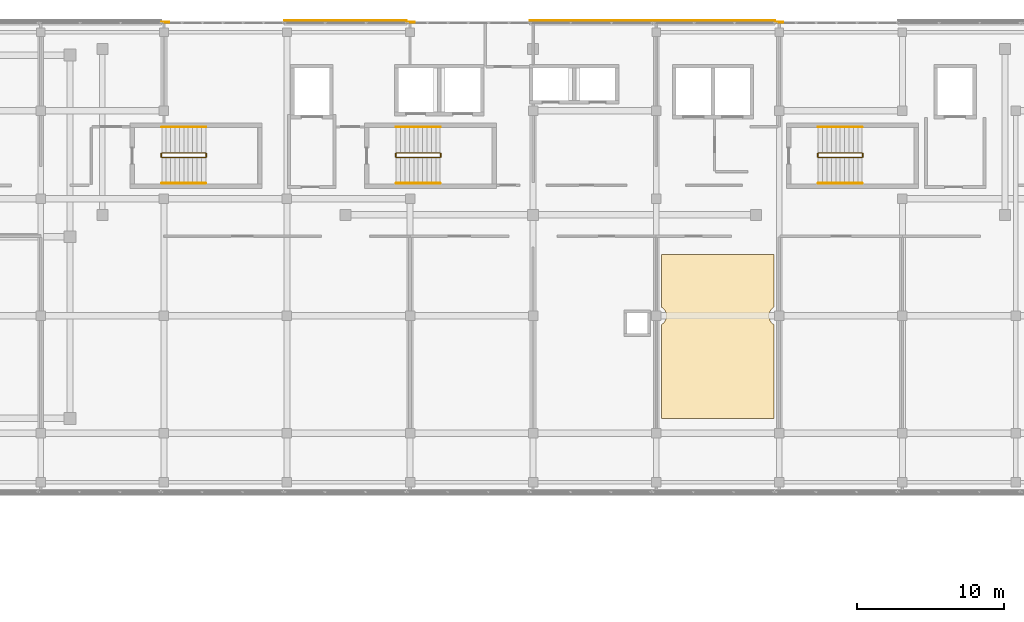
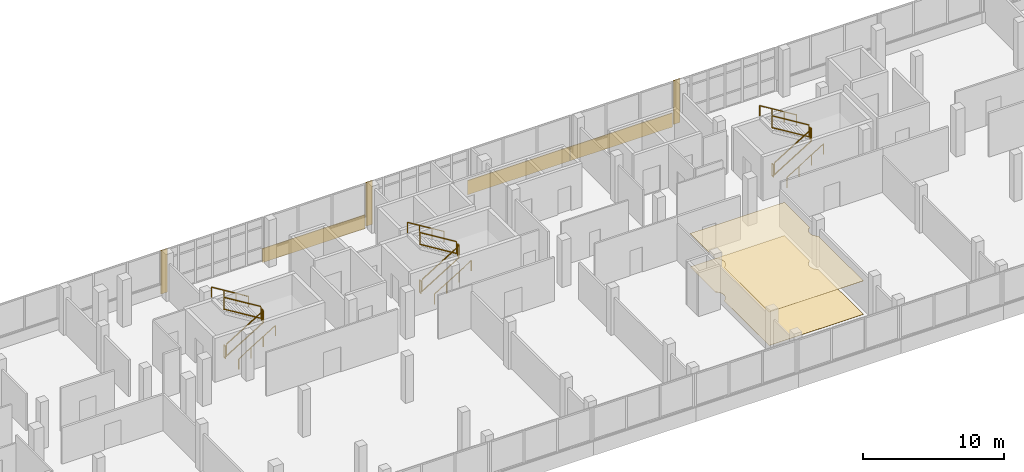
# One storey, part 75 of 76: 18 railings, 8 coverings.
"""IFC4 building model written with IfcOpenShell, lengths in metres."""

from ifc_helpers import new_model, si_unit, direction, frame, origin, origin_2d, place, context, subcontext, project, spatial, polyline, rectangle, circle, outline, extrude, material, layer, layer_set, type_object, element, save


model = new_model("IFC4")

# Units and contexts
model_context = context("Model", 3, precision=1e-05, world=origin(), true_north=direction((0.0, 1.0)))
body_context = subcontext(model_context, "Body", "Model", "MODEL_VIEW")
ifc_project = project(units=[si_unit("LENGTHUNIT", "METRE"), si_unit("AREAUNIT", "SQUARE_METRE"), si_unit("VOLUMEUNIT", "CUBIC_METRE"), si_unit("PLANEANGLEUNIT", "RADIAN"), si_unit("MASSUNIT", "GRAM", prefix="KILO")], contexts=[model_context])

# Site, building, storey
site_placement = place(None, origin())
site = spatial("IfcSite", under=ifc_project, at=site_placement, CompositionType="ELEMENT")
building_placement = place(site_placement, origin())
building = spatial("IfcBuilding", under=site, at=building_placement, Name="Selatvlak General Hospital", CompositionType="ELEMENT")
storey_placement = place(building_placement, frame((0.0, 0.0, 27.300048828125)))
storey = spatial("IfcBuildingStorey", under=building, at=storey_placement, Name="L06", CompositionType="ELEMENT", Elevation=27.300048828125)

# Coverings
ifc_material_1 = material(Name="Acoustic mineral fibre ceiling tile")
ifc_layer_1 = layer(ifc_material_1, 0.02490234375, Name="Acoustic mineral fibre ceiling tile")
ifc_layer_set_1 = layer_set([ifc_layer_1], Name="Acoustic mineral fibre ceiling tile")
covering_type_1 = type_object("IfcCoveringType", Name="COV-CEIL1", PredefinedType="CEILING", material=ifc_layer_set_1)
covering_1_placement = place(storey_placement, frame((0.0, 0.0, 2.8798828125)))
element("IfcCovering", 1, at=covering_1_placement, inside=storey, type_object=covering_type_1, Name="L06 clinical acoustic ceiling 014", PredefinedType="CEILING", context=body_context, shape_type="SweptSolid", body=[
    extrude(outline(polyline([(131.64990234375, 104.199951171875), (131.64990234375, 100.60498046875), (131.611083984375, 100.58203125), (131.555908203125, 100.541015625), (131.5048828125, 100.4951171875), (131.458984375, 100.444091796875), (131.41796875, 100.388916015625), (131.383056640625, 100.330078125), (131.35302734375, 100.26806640625), (131.330078125, 100.202880859375), (131.31298828125, 100.136962890625), (131.302978515625, 100.069091796875), (131.300048828125, 100.0), (131.302978515625, 99.930908203125), (131.31298828125, 99.863037109375), (131.330078125, 99.797119140625), (131.35302734375, 99.73193359375), (131.383056640625, 99.669921875), (131.41796875, 99.611083984375), (131.458984375, 99.555908203125), (131.5048828125, 99.5048828125), (131.555908203125, 99.458984375), (131.611083984375, 99.41796875), (131.64990234375, 99.39501953125), (131.64990234375, 93.0), (123.949951171875, 93.0), (123.949951171875, 99.39501953125), (123.989013671875, 99.41796875), (124.0439453125, 99.458984375), (124.094970703125, 99.5048828125), (124.14111328125, 99.555908203125), (124.181884765625, 99.611083984375), (124.217041015625, 99.669921875), (124.2470703125, 99.73193359375), (124.27001953125, 99.797119140625), (124.287109375, 99.863037109375), (124.297119140625, 99.930908203125), (124.300048828125, 100.0), (124.297119140625, 100.069091796875), (124.287109375, 100.136962890625), (124.27001953125, 100.202880859375), (124.2470703125, 100.26806640625), (124.217041015625, 100.330078125), (124.181884765625, 100.388916015625), (124.14111328125, 100.444091796875), (124.094970703125, 100.4951171875), (124.0439453125, 100.541015625), (123.989013671875, 100.58203125), (123.949951171875, 100.60498046875), (123.949951171875, 104.199951171875), (131.64990234375, 104.199951171875)])), origin(), (0.0, 0.0, 1.0), 0.025146484375),
])
ifc_material_2 = material(Name="Homogeneous anti-static hospital vinyl flooring")
ifc_layer_2 = layer(ifc_material_2, 0.014892578125, Name="Homogeneous anti-static hospital vinyl flooring")
ifc_layer_set_2 = layer_set([ifc_layer_2], Name="Homogeneous anti-static hospital vinyl flooring")
covering_type_2 = type_object("IfcCoveringType", Name="COV-FLR1", PredefinedType="FLOORING", material=ifc_layer_set_2)
covering_2_placement = place(storey_placement, origin())
element("IfcCovering", 2, at=covering_2_placement, inside=storey, type_object=covering_type_2, Name="L06 seamless vinyl flooring 014", PredefinedType="FLOORING", context=body_context, shape_type="SweptSolid", body=[
    extrude(outline(polyline([(131.64990234375, 104.199951171875), (131.64990234375, 100.60498046875), (131.611083984375, 100.58203125), (131.555908203125, 100.541015625), (131.5048828125, 100.4951171875), (131.458984375, 100.444091796875), (131.41796875, 100.388916015625), (131.383056640625, 100.330078125), (131.35302734375, 100.26806640625), (131.330078125, 100.202880859375), (131.31298828125, 100.136962890625), (131.302978515625, 100.069091796875), (131.300048828125, 100.0), (131.302978515625, 99.930908203125), (131.31298828125, 99.863037109375), (131.330078125, 99.797119140625), (131.35302734375, 99.73193359375), (131.383056640625, 99.669921875), (131.41796875, 99.611083984375), (131.458984375, 99.555908203125), (131.5048828125, 99.5048828125), (131.555908203125, 99.458984375), (131.611083984375, 99.41796875), (131.64990234375, 99.39501953125), (131.64990234375, 93.0), (123.949951171875, 93.0), (123.949951171875, 99.39501953125), (123.989013671875, 99.41796875), (124.0439453125, 99.458984375), (124.094970703125, 99.5048828125), (124.14111328125, 99.555908203125), (124.181884765625, 99.611083984375), (124.217041015625, 99.669921875), (124.2470703125, 99.73193359375), (124.27001953125, 99.797119140625), (124.287109375, 99.863037109375), (124.297119140625, 99.930908203125), (124.300048828125, 100.0), (124.297119140625, 100.069091796875), (124.287109375, 100.136962890625), (124.27001953125, 100.202880859375), (124.2470703125, 100.26806640625), (124.217041015625, 100.330078125), (124.181884765625, 100.388916015625), (124.14111328125, 100.444091796875), (124.094970703125, 100.4951171875), (124.0439453125, 100.541015625), (123.989013671875, 100.58203125), (123.949951171875, 100.60498046875), (123.949951171875, 104.199951171875), (131.64990234375, 104.199951171875)])), origin(), (0.0, 0.0, 1.0), 0.014892578125),
])
ifc_material_3 = material(Name="White Bauhaus fair-faced cladding panel")
ifc_layer_3 = layer(ifc_material_3, 0.054931640625, Name="White Bauhaus fair-faced cladding panel")
ifc_layer_set_3 = layer_set([ifc_layer_3], Name="White Bauhaus fair-faced cladding panel")
covering_type_3 = type_object("IfcCoveringType", Name="COV-WHT1", PredefinedType="CLADDING", material=ifc_layer_set_3)
covering_3_placement = place(storey_placement, frame((90.10595703125, 120.0439453125, 0.0), z_axis=(0.0, 0.0, 1.0), x_axis=(1.0, 0.0, 0.0)))
element("IfcCovering", 3, at=covering_3_placement, inside=storey, type_object=covering_type_3, Name="L06 Bauhaus vertical core pilaster 0460", PredefinedType="CLADDING", context=body_context, shape_type="SweptSolid", body=[
    extrude(rectangle(XDim=0.550048828125, YDim=0.054931640625, at=origin_2d()), origin(), (0.0, 0.0, 1.0), 3.780029296875),
])
covering_4_placement = place(storey_placement, frame((102.39892578125, 120.1640625, -0.2802734375), z_axis=(0.0, 0.0, 1.0), x_axis=(0.999999992537, 0.000122173047, 0.0)))
element("IfcCovering", 4, at=covering_4_placement, inside=storey, type_object=covering_type_3, Name="L06 Bauhaus horizontal white spandrel band 0461", PredefinedType="CLADDING", context=body_context, shape_type="SweptSolid", body=[
    extrude(rectangle(XDim=8.37890625, YDim=0.054931640625, at=origin_2d()), origin(), (0.0, 0.0, 1.0), 1.219970703125),
])
covering_5_placement = place(storey_placement, frame((106.864013671875, 120.044921875, 0.0), z_axis=(0.0, 0.0, 1.0), x_axis=(1.0, 0.0, 0.0)))
element("IfcCovering", 5, at=covering_5_placement, inside=storey, type_object=covering_type_3, Name="L06 Bauhaus vertical core pilaster 0462", PredefinedType="CLADDING", context=body_context, shape_type="SweptSolid", body=[
    extrude(rectangle(XDim=0.550048828125, YDim=0.054931640625, at=origin_2d()), origin(), (0.0, 0.0, 1.0), 3.780029296875),
])
for number, where, z_axis, x_axis, name in (
    (6, (119.156982421875, 120.1650390625, -0.2802734375), (0.0, 0.0, 1.0), (1.0, 0.0, 0.0), "L06 Bauhaus horizontal white spandrel band 0463"),
    (7, (127.535888671875, 120.1650390625, -0.2802734375), (0.0, 0.0, 1.0), (1.0, 0.0, 0.0), "L06 Bauhaus horizontal white spandrel band 0464"),
):
    element("IfcCovering", number, at=place(storey_placement, frame(where, z_axis=z_axis, x_axis=x_axis)), inside=storey, type_object=covering_type_3, Name=name, PredefinedType="CLADDING", context=body_context, shape_type="SweptSolid", body=[
        extrude(rectangle(XDim=8.37890625, YDim=0.054931640625, at=origin_2d()), origin(), (0.0, 0.0, 1.0), 1.219970703125),
    ])
covering_6_placement = place(storey_placement, frame((132.0009765625, 120.044921875, 0.0), z_axis=(0.0, 0.0, 1.0), x_axis=(1.0, 0.0, 0.0)))
element("IfcCovering", 8, at=covering_6_placement, inside=storey, type_object=covering_type_3, Name="L06 Bauhaus vertical core pilaster 0465", PredefinedType="CLADDING", context=body_context, shape_type="SweptSolid", body=[
    extrude(rectangle(XDim=0.550048828125, YDim=0.054931640625, at=origin_2d()), origin(), (0.0, 0.0, 1.0), 3.780029296875),
])

# Railings
ifc_material_4 = material(Name="Stainless steel 316 stair guard", Category="steel")
railing_type_1 = type_object("IfcRailingType", Name="RAIL-STG", PredefinedType="GUARDRAIL", material=ifc_material_4)
railing_1_placement = place(storey_placement, frame((89.860107421875, 110.81005859375, 0.18408203125)))
element("IfcRailing", 9, at=railing_1_placement, inside=storey, type_object=railing_type_1, Name="L06 ST-02 stair guard 1", PredefinedType="GUARDRAIL", context=body_context, shape_type="SweptSolid", body=[
    extrude(rectangle(XDim=0.068115234375, YDim=0.068115234375, at=origin_2d()), frame((0.00244140625, 0.0, 1.067626953125), z_axis=(0.852333972304, 0.0, 0.522997896417), x_axis=(0.0, 1.0, 0.0)), (0.0, 0.0, 1.0), 3.513916015625),
    extrude(rectangle(XDim=0.068115234375, YDim=0.068115234375, at=origin_2d()), frame((0.00244140625, 0.0, 0.050537109375), z_axis=(0.852333972304, 0.0, 0.522997896417), x_axis=(0.0, 1.0, 0.0)), (0.0, 0.0, 1.0), 3.513916015625),
    extrude(rectangle(XDim=0.055908203125, YDim=0.055908203125, at=origin_2d()), origin(), (0.0, 0.0, 1.0), 1.029052734375),
    extrude(rectangle(XDim=0.055908203125, YDim=0.055908203125, at=origin_2d()), frame((3.0, 0.0, 1.8408203125)), (0.0, 0.0, 1.0), 1.029052734375),
])
railing_2_placement = place(storey_placement, frame((92.909912109375, 110.860107421875, 2.02490234375)))
element("IfcRailing", 10, at=railing_2_placement, inside=storey, type_object=railing_type_1, Name="L06 ST-02 stair guard 2", PredefinedType="GUARDRAIL", context=body_context, shape_type="SweptSolid", body=[
    extrude(rectangle(XDim=0.068115234375, YDim=0.068115234375, at=origin_2d()), frame((0.0, 0.0029296875, 1.06591796875), z_axis=(0.0, 1.0, 0.0), x_axis=(-1.0, 0.0, 0.0)), (0.0, 0.0, 1.0), 0.214111328125),
    extrude(rectangle(XDim=0.068115234375, YDim=0.068115234375, at=origin_2d()), frame((0.0, 0.0029296875, 0.049072265625), z_axis=(0.0, 1.0, 0.0), x_axis=(-1.0, 0.0, 0.0)), (0.0, 0.0, 1.0), 0.214111328125),
    extrude(rectangle(XDim=0.055908203125, YDim=0.055908203125, at=origin_2d()), origin(), (0.0, 0.0, 1.0), 1.029052734375),
    extrude(rectangle(XDim=0.055908203125, YDim=0.055908203125, at=origin_2d()), frame((0.0, 0.219970703125, 0.0)), (0.0, 0.0, 1.0), 1.029052734375),
])
railing_3_placement = place(storey_placement, frame((92.860107421875, 111.1298828125, 2.208984375)))
element("IfcRailing", 11, at=railing_3_placement, inside=storey, type_object=railing_type_1, Name="L06 ST-02 stair guard 3", PredefinedType="GUARDRAIL", context=body_context, shape_type="SweptSolid", body=[
    extrude(rectangle(XDim=0.068115234375, YDim=0.068115234375, at=origin_2d()), frame((-0.00244140625, 0.0, 1.067626953125), z_axis=(-0.852303052018, 0.0, 0.52304828412), x_axis=(0.0, -1.0, 0.0)), (0.0, 0.0, 1.0), 3.513916015625),
    extrude(rectangle(XDim=0.068115234375, YDim=0.068115234375, at=origin_2d()), frame((-0.00244140625, 0.0, 0.050537109375), z_axis=(-0.852303052018, 0.0, 0.52304828412), x_axis=(0.0, -1.0, 0.0)), (0.0, 0.0, 1.0), 3.513916015625),
    extrude(rectangle(XDim=0.055908203125, YDim=0.055908203125, at=origin_2d()), origin(), (0.0, 0.0, 1.0), 1.029052734375),
    extrude(rectangle(XDim=0.055908203125, YDim=0.055908203125, at=origin_2d()), frame((-3.0, 0.0, 1.841064453125)), (0.0, 0.0, 1.0), 1.029052734375),
])
railing_4_placement = place(storey_placement, frame((89.81005859375, 110.860107421875, 0.0)))
element("IfcRailing", 12, at=railing_4_placement, inside=storey, type_object=railing_type_1, Name="L06 ST-02 stair guard 4", PredefinedType="GUARDRAIL", context=body_context, shape_type="SweptSolid", body=[
    extrude(rectangle(XDim=0.068115234375, YDim=0.068115234375, at=origin_2d()), frame((0.0, 0.0029296875, 1.06591796875), z_axis=(0.0, 1.0, 0.0), x_axis=(-1.0, 0.0, 0.0)), (0.0, 0.0, 1.0), 0.214111328125),
    extrude(rectangle(XDim=0.068115234375, YDim=0.068115234375, at=origin_2d()), frame((0.0, 0.0029296875, 0.049072265625), z_axis=(0.0, 1.0, 0.0), x_axis=(-1.0, 0.0, 0.0)), (0.0, 0.0, 1.0), 0.214111328125),
    extrude(rectangle(XDim=0.055908203125, YDim=0.055908203125, at=origin_2d()), origin(), (0.0, 0.0, 1.0), 1.029052734375),
    extrude(rectangle(XDim=0.055908203125, YDim=0.055908203125, at=origin_2d()), frame((0.0, 0.219970703125, 0.0)), (0.0, 0.0, 1.0), 1.029052734375),
])
railing_5_placement = place(storey_placement, frame((105.860107421875, 110.81005859375, 0.18408203125)))
element("IfcRailing", 13, at=railing_5_placement, inside=storey, type_object=railing_type_1, Name="L06 ST-03 stair guard 1", PredefinedType="GUARDRAIL", context=body_context, shape_type="SweptSolid", body=[
    extrude(rectangle(XDim=0.068115234375, YDim=0.068115234375, at=origin_2d()), frame((0.00244140625, 0.0, 1.067626953125), z_axis=(0.852333972304, 0.0, 0.522997896417), x_axis=(0.0, 1.0, 0.0)), (0.0, 0.0, 1.0), 3.513916015625),
    extrude(rectangle(XDim=0.068115234375, YDim=0.068115234375, at=origin_2d()), frame((0.00244140625, 0.0, 0.050537109375), z_axis=(0.852333972304, 0.0, 0.522997896417), x_axis=(0.0, 1.0, 0.0)), (0.0, 0.0, 1.0), 3.513916015625),
    extrude(rectangle(XDim=0.055908203125, YDim=0.055908203125, at=origin_2d()), origin(), (0.0, 0.0, 1.0), 1.029052734375),
    extrude(rectangle(XDim=0.055908203125, YDim=0.055908203125, at=origin_2d()), frame((3.0, 0.0, 1.8408203125)), (0.0, 0.0, 1.0), 1.029052734375),
])
railing_6_placement = place(storey_placement, frame((108.909912109375, 110.860107421875, 2.02490234375)))
element("IfcRailing", 14, at=railing_6_placement, inside=storey, type_object=railing_type_1, Name="L06 ST-03 stair guard 2", PredefinedType="GUARDRAIL", context=body_context, shape_type="SweptSolid", body=[
    extrude(rectangle(XDim=0.068115234375, YDim=0.068115234375, at=origin_2d()), frame((0.0, 0.0029296875, 1.06591796875), z_axis=(0.0, 1.0, 0.0), x_axis=(-1.0, 0.0, 0.0)), (0.0, 0.0, 1.0), 0.214111328125),
    extrude(rectangle(XDim=0.068115234375, YDim=0.068115234375, at=origin_2d()), frame((0.0, 0.0029296875, 0.049072265625), z_axis=(0.0, 1.0, 0.0), x_axis=(-1.0, 0.0, 0.0)), (0.0, 0.0, 1.0), 0.214111328125),
    extrude(rectangle(XDim=0.055908203125, YDim=0.055908203125, at=origin_2d()), origin(), (0.0, 0.0, 1.0), 1.029052734375),
    extrude(rectangle(XDim=0.055908203125, YDim=0.055908203125, at=origin_2d()), frame((0.0, 0.219970703125, 0.0)), (0.0, 0.0, 1.0), 1.029052734375),
])
railing_7_placement = place(storey_placement, frame((108.860107421875, 111.1298828125, 2.208984375)))
element("IfcRailing", 15, at=railing_7_placement, inside=storey, type_object=railing_type_1, Name="L06 ST-03 stair guard 3", PredefinedType="GUARDRAIL", context=body_context, shape_type="SweptSolid", body=[
    extrude(rectangle(XDim=0.068115234375, YDim=0.068115234375, at=origin_2d()), frame((-0.00244140625, 0.0, 1.067626953125), z_axis=(-0.852303052018, 0.0, 0.52304828412), x_axis=(0.0, -1.0, 0.0)), (0.0, 0.0, 1.0), 3.513916015625),
    extrude(rectangle(XDim=0.068115234375, YDim=0.068115234375, at=origin_2d()), frame((-0.00244140625, 0.0, 0.050537109375), z_axis=(-0.852303052018, 0.0, 0.52304828412), x_axis=(0.0, -1.0, 0.0)), (0.0, 0.0, 1.0), 3.513916015625),
    extrude(rectangle(XDim=0.055908203125, YDim=0.055908203125, at=origin_2d()), origin(), (0.0, 0.0, 1.0), 1.029052734375),
    extrude(rectangle(XDim=0.055908203125, YDim=0.055908203125, at=origin_2d()), frame((-3.0, 0.0, 1.841064453125)), (0.0, 0.0, 1.0), 1.029052734375),
])
railing_8_placement = place(storey_placement, frame((105.81005859375, 110.860107421875, 0.0)))
element("IfcRailing", 16, at=railing_8_placement, inside=storey, type_object=railing_type_1, Name="L06 ST-03 stair guard 4", PredefinedType="GUARDRAIL", context=body_context, shape_type="SweptSolid", body=[
    extrude(rectangle(XDim=0.068115234375, YDim=0.068115234375, at=origin_2d()), frame((0.0, 0.0029296875, 1.06591796875), z_axis=(0.0, 1.0, 0.0), x_axis=(-1.0, 0.0, 0.0)), (0.0, 0.0, 1.0), 0.214111328125),
    extrude(rectangle(XDim=0.068115234375, YDim=0.068115234375, at=origin_2d()), frame((0.0, 0.0029296875, 0.049072265625), z_axis=(0.0, 1.0, 0.0), x_axis=(-1.0, 0.0, 0.0)), (0.0, 0.0, 1.0), 0.214111328125),
    extrude(rectangle(XDim=0.055908203125, YDim=0.055908203125, at=origin_2d()), origin(), (0.0, 0.0, 1.0), 1.029052734375),
    extrude(rectangle(XDim=0.055908203125, YDim=0.055908203125, at=origin_2d()), frame((0.0, 0.219970703125, 0.0)), (0.0, 0.0, 1.0), 1.029052734375),
])
railing_9_placement = place(storey_placement, frame((134.659912109375, 110.81005859375, 0.18408203125)))
element("IfcRailing", 17, at=railing_9_placement, inside=storey, type_object=railing_type_1, Name="L06 ST-04 stair guard 1", PredefinedType="GUARDRAIL", context=body_context, shape_type="SweptSolid", body=[
    extrude(rectangle(XDim=0.068115234375, YDim=0.068115234375, at=origin_2d()), frame((0.00244140625, 0.0, 1.067626953125), z_axis=(0.852333972304, 0.0, 0.522997896417), x_axis=(0.0, 1.0, 0.0)), (0.0, 0.0, 1.0), 3.513916015625),
    extrude(rectangle(XDim=0.068115234375, YDim=0.068115234375, at=origin_2d()), frame((0.00244140625, 0.0, 0.050537109375), z_axis=(0.852333972304, 0.0, 0.522997896417), x_axis=(0.0, 1.0, 0.0)), (0.0, 0.0, 1.0), 3.513916015625),
    extrude(rectangle(XDim=0.055908203125, YDim=0.055908203125, at=origin_2d()), origin(), (0.0, 0.0, 1.0), 1.029052734375),
    extrude(rectangle(XDim=0.055908203125, YDim=0.055908203125, at=origin_2d()), frame((3.0, 0.0, 1.8408203125)), (0.0, 0.0, 1.0), 1.029052734375),
])
railing_10_placement = place(storey_placement, frame((137.7099609375, 110.860107421875, 2.02490234375)))
element("IfcRailing", 18, at=railing_10_placement, inside=storey, type_object=railing_type_1, Name="L06 ST-04 stair guard 2", PredefinedType="GUARDRAIL", context=body_context, shape_type="SweptSolid", body=[
    extrude(rectangle(XDim=0.068115234375, YDim=0.068115234375, at=origin_2d()), frame((0.0, 0.0029296875, 1.06591796875), z_axis=(0.0, 1.0, 0.0), x_axis=(-1.0, 0.0, 0.0)), (0.0, 0.0, 1.0), 0.214111328125),
    extrude(rectangle(XDim=0.068115234375, YDim=0.068115234375, at=origin_2d()), frame((0.0, 0.0029296875, 0.049072265625), z_axis=(0.0, 1.0, 0.0), x_axis=(-1.0, 0.0, 0.0)), (0.0, 0.0, 1.0), 0.214111328125),
    extrude(rectangle(XDim=0.055908203125, YDim=0.055908203125, at=origin_2d()), origin(), (0.0, 0.0, 1.0), 1.029052734375),
    extrude(rectangle(XDim=0.055908203125, YDim=0.055908203125, at=origin_2d()), frame((0.0, 0.219970703125, 0.0)), (0.0, 0.0, 1.0), 1.029052734375),
])
railing_11_placement = place(storey_placement, frame((137.659912109375, 111.1298828125, 2.208984375)))
element("IfcRailing", 19, at=railing_11_placement, inside=storey, type_object=railing_type_1, Name="L06 ST-04 stair guard 3", PredefinedType="GUARDRAIL", context=body_context, shape_type="SweptSolid", body=[
    extrude(rectangle(XDim=0.068115234375, YDim=0.068115234375, at=origin_2d()), frame((-0.00244140625, 0.0, 1.067626953125), z_axis=(-0.852303052018, 0.0, 0.52304828412), x_axis=(0.0, -1.0, 0.0)), (0.0, 0.0, 1.0), 3.513916015625),
    extrude(rectangle(XDim=0.068115234375, YDim=0.068115234375, at=origin_2d()), frame((-0.00244140625, 0.0, 0.050537109375), z_axis=(-0.852303052018, 0.0, 0.52304828412), x_axis=(0.0, -1.0, 0.0)), (0.0, 0.0, 1.0), 3.513916015625),
    extrude(rectangle(XDim=0.055908203125, YDim=0.055908203125, at=origin_2d()), origin(), (0.0, 0.0, 1.0), 1.029052734375),
    extrude(rectangle(XDim=0.055908203125, YDim=0.055908203125, at=origin_2d()), frame((-3.0, 0.0, 1.841064453125)), (0.0, 0.0, 1.0), 1.029052734375),
])
railing_12_placement = place(storey_placement, frame((134.610107421875, 110.860107421875, 0.0)))
element("IfcRailing", 20, at=railing_12_placement, inside=storey, type_object=railing_type_1, Name="L06 ST-04 stair guard 4", PredefinedType="GUARDRAIL", context=body_context, shape_type="SweptSolid", body=[
    extrude(rectangle(XDim=0.068115234375, YDim=0.068115234375, at=origin_2d()), frame((0.0, 0.0029296875, 1.06591796875), z_axis=(0.0, 1.0, 0.0), x_axis=(-1.0, 0.0, 0.0)), (0.0, 0.0, 1.0), 0.214111328125),
    extrude(rectangle(XDim=0.068115234375, YDim=0.068115234375, at=origin_2d()), frame((0.0, 0.0029296875, 0.049072265625), z_axis=(0.0, 1.0, 0.0), x_axis=(-1.0, 0.0, 0.0)), (0.0, 0.0, 1.0), 0.214111328125),
    extrude(rectangle(XDim=0.055908203125, YDim=0.055908203125, at=origin_2d()), origin(), (0.0, 0.0, 1.0), 1.029052734375),
    extrude(rectangle(XDim=0.055908203125, YDim=0.055908203125, at=origin_2d()), frame((0.0, 0.219970703125, 0.0)), (0.0, 0.0, 1.0), 1.029052734375),
])
ifc_material_5 = material(Name="Stainless steel 316 handrail", Category="steel")
railing_type_2 = type_object("IfcRailingType", Name="RAIL-STH", PredefinedType="HANDRAIL", material=ifc_material_5)
railing_13_placement = place(storey_placement, frame((89.860107421875, 109.050048828125, 0.18408203125)))
element("IfcRailing", 21, at=railing_13_placement, inside=storey, type_object=railing_type_2, Name="L06 ST-02 stair handrail 1", PredefinedType="HANDRAIL", context=body_context, shape_type="SweptSolid", body=[
    extrude(circle(Radius=0.02392578125, at=origin_2d()), frame((0.00244140625, 0.0, 0.87744140625), z_axis=(0.852333972304, 0.0, 0.522997896417), x_axis=(0.0, 1.0, 0.0)), (0.0, 0.0, 1.0), 3.513916015625),
    extrude(circle(Radius=0.02099609375, at=origin_2d()), origin(), (0.0, 0.0, 1.0), 0.848876953125),
    extrude(circle(Radius=0.02099609375, at=origin_2d()), frame((1.0, 0.0, 0.613525390625)), (0.0, 0.0, 1.0), 0.848876953125),
    extrude(circle(Radius=0.02099609375, at=origin_2d()), frame((2.0, 0.0, 1.227294921875)), (0.0, 0.0, 1.0), 0.848876953125),
    extrude(circle(Radius=0.02099609375, at=origin_2d()), frame((3.0, 0.0, 1.8408203125)), (0.0, 0.0, 1.0), 0.848876953125),
])
railing_14_placement = place(storey_placement, frame((92.860107421875, 112.889892578125, 2.208984375)))
element("IfcRailing", 22, at=railing_14_placement, inside=storey, type_object=railing_type_2, Name="L06 ST-02 stair handrail 2", PredefinedType="HANDRAIL", context=body_context, shape_type="SweptSolid", body=[
    extrude(circle(Radius=0.02392578125, at=origin_2d()), frame((-0.00244140625, 0.0, 0.87744140625), z_axis=(-0.852303052018, 0.0, 0.52304828412), x_axis=(0.0, -1.0, 0.0)), (0.0, 0.0, 1.0), 3.513916015625),
    extrude(circle(Radius=0.02099609375, at=origin_2d()), origin(), (0.0, 0.0, 1.0), 0.848876953125),
    extrude(circle(Radius=0.02099609375, at=origin_2d()), frame((-1.0, 0.0, 0.61376953125)), (0.0, 0.0, 1.0), 0.848876953125),
    extrude(circle(Radius=0.02099609375, at=origin_2d()), frame((-2.0, 0.0, 1.227294921875)), (0.0, 0.0, 1.0), 0.848876953125),
    extrude(circle(Radius=0.02099609375, at=origin_2d()), frame((-3.0, 0.0, 1.841064453125)), (0.0, 0.0, 1.0), 0.848876953125),
])
railing_15_placement = place(storey_placement, frame((105.860107421875, 109.050048828125, 0.18408203125)))
element("IfcRailing", 23, at=railing_15_placement, inside=storey, type_object=railing_type_2, Name="L06 ST-03 stair handrail 1", PredefinedType="HANDRAIL", context=body_context, shape_type="SweptSolid", body=[
    extrude(circle(Radius=0.02392578125, at=origin_2d()), frame((0.00244140625, 0.0, 0.87744140625), z_axis=(0.852333972304, 0.0, 0.522997896417), x_axis=(0.0, 1.0, 0.0)), (0.0, 0.0, 1.0), 3.513916015625),
    extrude(circle(Radius=0.02099609375, at=origin_2d()), origin(), (0.0, 0.0, 1.0), 0.848876953125),
    extrude(circle(Radius=0.02099609375, at=origin_2d()), frame((1.0, 0.0, 0.613525390625)), (0.0, 0.0, 1.0), 0.848876953125),
    extrude(circle(Radius=0.02099609375, at=origin_2d()), frame((2.0, 0.0, 1.227294921875)), (0.0, 0.0, 1.0), 0.848876953125),
    extrude(circle(Radius=0.02099609375, at=origin_2d()), frame((3.0, 0.0, 1.8408203125)), (0.0, 0.0, 1.0), 0.848876953125),
])
railing_16_placement = place(storey_placement, frame((108.860107421875, 112.889892578125, 2.208984375)))
element("IfcRailing", 24, at=railing_16_placement, inside=storey, type_object=railing_type_2, Name="L06 ST-03 stair handrail 2", PredefinedType="HANDRAIL", context=body_context, shape_type="SweptSolid", body=[
    extrude(circle(Radius=0.02392578125, at=origin_2d()), frame((-0.00244140625, 0.0, 0.87744140625), z_axis=(-0.852303052018, 0.0, 0.52304828412), x_axis=(0.0, -1.0, 0.0)), (0.0, 0.0, 1.0), 3.513916015625),
    extrude(circle(Radius=0.02099609375, at=origin_2d()), origin(), (0.0, 0.0, 1.0), 0.848876953125),
    extrude(circle(Radius=0.02099609375, at=origin_2d()), frame((-1.0, 0.0, 0.61376953125)), (0.0, 0.0, 1.0), 0.848876953125),
    extrude(circle(Radius=0.02099609375, at=origin_2d()), frame((-2.0, 0.0, 1.227294921875)), (0.0, 0.0, 1.0), 0.848876953125),
    extrude(circle(Radius=0.02099609375, at=origin_2d()), frame((-3.0, 0.0, 1.841064453125)), (0.0, 0.0, 1.0), 0.848876953125),
])
railing_17_placement = place(storey_placement, frame((134.659912109375, 109.050048828125, 0.18408203125)))
element("IfcRailing", 25, at=railing_17_placement, inside=storey, type_object=railing_type_2, Name="L06 ST-04 stair handrail 1", PredefinedType="HANDRAIL", context=body_context, shape_type="SweptSolid", body=[
    extrude(circle(Radius=0.02392578125, at=origin_2d()), frame((0.00244140625, 0.0, 0.87744140625), z_axis=(0.852333972304, 0.0, 0.522997896417), x_axis=(0.0, 1.0, 0.0)), (0.0, 0.0, 1.0), 3.513916015625),
    extrude(circle(Radius=0.02099609375, at=origin_2d()), origin(), (0.0, 0.0, 1.0), 0.848876953125),
    extrude(circle(Radius=0.02099609375, at=origin_2d()), frame((1.0, 0.0, 0.613525390625)), (0.0, 0.0, 1.0), 0.848876953125),
    extrude(circle(Radius=0.02099609375, at=origin_2d()), frame((2.0, 0.0, 1.227294921875)), (0.0, 0.0, 1.0), 0.848876953125),
    extrude(circle(Radius=0.02099609375, at=origin_2d()), frame((3.0, 0.0, 1.8408203125)), (0.0, 0.0, 1.0), 0.848876953125),
])
railing_18_placement = place(storey_placement, frame((137.659912109375, 112.889892578125, 2.208984375)))
element("IfcRailing", 26, at=railing_18_placement, inside=storey, type_object=railing_type_2, Name="L06 ST-04 stair handrail 2", PredefinedType="HANDRAIL", context=body_context, shape_type="SweptSolid", body=[
    extrude(circle(Radius=0.02392578125, at=origin_2d()), frame((-0.00244140625, 0.0, 0.87744140625), z_axis=(-0.852303052018, 0.0, 0.52304828412), x_axis=(0.0, -1.0, 0.0)), (0.0, 0.0, 1.0), 3.513916015625),
    extrude(circle(Radius=0.02099609375, at=origin_2d()), origin(), (0.0, 0.0, 1.0), 0.848876953125),
    extrude(circle(Radius=0.02099609375, at=origin_2d()), frame((-1.0, 0.0, 0.61376953125)), (0.0, 0.0, 1.0), 0.848876953125),
    extrude(circle(Radius=0.02099609375, at=origin_2d()), frame((-2.0, 0.0, 1.227294921875)), (0.0, 0.0, 1.0), 0.848876953125),
    extrude(circle(Radius=0.02099609375, at=origin_2d()), frame((-3.0, 0.0, 1.841064453125)), (0.0, 0.0, 1.0), 0.848876953125),
])

save(model, "model.ifc")
